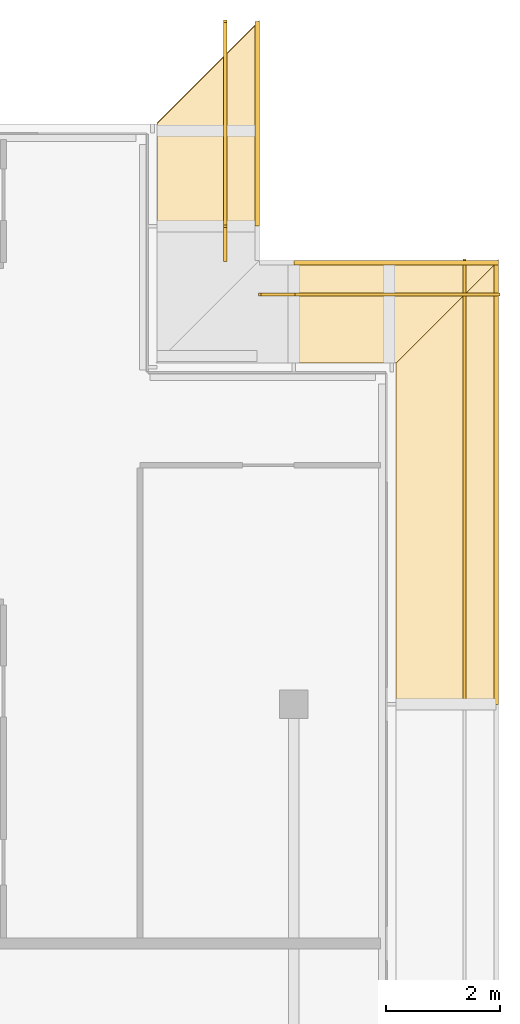
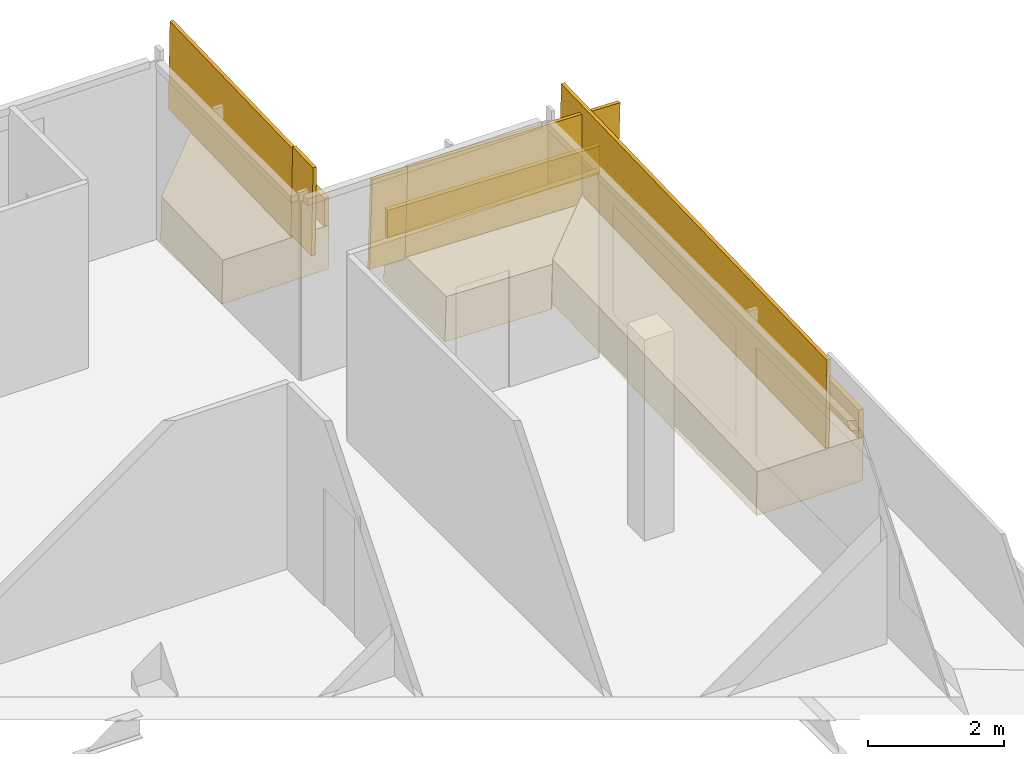
# One storey, part 25 of 27: 6 coverings, 5 railings.
"""IFC4 building model written with IfcOpenShell, lengths in metres."""

from ifc_helpers import new_model, si_unit, direction, frame, origin, origin_2d, place, context, subcontext, project, spatial, polyline, rectangle, outline, extrude, material, layer, layer_set, type_object, element, save


model = new_model("IFC4")

# Units and contexts
model_context = context("Model", 3, precision=1e-05, world=origin(), true_north=direction((0.0, 1.0)))
body_context = subcontext(model_context, "Body", "Model", "MODEL_VIEW")
ifc_project = project(units=[si_unit("LENGTHUNIT", "METRE"), si_unit("AREAUNIT", "SQUARE_METRE"), si_unit("VOLUMEUNIT", "CUBIC_METRE"), si_unit("PLANEANGLEUNIT", "RADIAN"), si_unit("MASSUNIT", "GRAM", prefix="KILO")], contexts=[model_context])

# Site, building, storey
site_placement = place(None, origin())
site = spatial("IfcSite", under=ifc_project, at=site_placement, CompositionType="ELEMENT")
building_placement = place(site_placement, origin())
building = spatial("IfcBuilding", under=site, at=building_placement, Name="Saffron Gate Tower", CompositionType="ELEMENT")
storey_placement = place(building_placement, frame((0.0, 0.0, 267.14990234375)))
storey = spatial("IfcBuildingStorey", under=building, at=storey_placement, Name="L64", CompositionType="ELEMENT", Elevation=267.14990234375)

# Coverings
ifc_material = material(Name="Timber, thermally modified ash", Category="wood")
ifc_layer_1 = layer(ifc_material, 0.800048828125)
ifc_layer_set_1 = layer_set([ifc_layer_1], Name="LD1 ledge timber")
covering_type_1 = type_object("IfcCoveringType", Name="LD1 ledge timber", PredefinedType="CLADDING", material=ifc_layer_set_1)
covering_1_placement = place(storey_placement, frame((127.199951171875, 65.39990234375, 0.3701171875), z_axis=(-3.5027307e-05, -0.028807146299, 0.99958498743), x_axis=(-3.68e-10, 0.999584988043, 0.028807146316)))
element("IfcCovering", 1, at=covering_1_placement, inside=storey, type_object=covering_type_1, Name="LEDGE", PredefinedType="CLADDING", context=body_context, shape_type="SweptSolid", body=[
    extrude(outline(polyline([(0.0, 0.0), (6.0024892885105, -2.541098841762901e-21), (7.8032891020589235, -1.8000488321003227), (-6.622937652878055e-10, -1.8000488270207489), (0.0, 0.0)])), origin(), (0.0, 0.0, -1.0), 0.800048828125),
])
covering_2_placement = place(storey_placement, frame((127.199951171875, 71.39990234375, 0.448486328125), z_axis=(0.028741681402, 0.0, 0.999586872538), x_axis=(-0.999586872538, 0.0, 0.028741681402)))
element("IfcCovering", 2, at=covering_2_placement, inside=storey, type_object=covering_type_1, Name="LEDGE", PredefinedType="CLADDING", context=body_context, shape_type="SweptSolid", body=[
    extrude(outline(polyline([(0.0, 0.0), (1.8007927850779974, 0.0), (1.8007927850779974, -1.800048828125), (-1.8007927850779974, -1.800048828125), (0.0, 0.0)])), origin(), (0.0, 0.0, -1.0), 0.800048828125),
])
covering_3_placement = place(storey_placement, frame((123.0, 73.800048828125, 0.53466796875), z_axis=(-4.6492774e-05, -0.028788135707, 0.99958553465), x_axis=(-2.161e-09, 0.99958553573, 0.028788135738)))
element("IfcCovering", 3, at=covering_3_placement, inside=storey, type_object=covering_type_1, Name="LEDGE", PredefinedType="CLADDING", context=body_context, shape_type="SweptSolid", body=[
    extrude(outline(polyline([(0.0, 0.0), (1.8007927831333284, -4.235164736271502e-22), (3.6013485512933356, -1.8000488378518529), (-3.889338571966608e-09, -1.8000488261795269), (0.0, 0.0)])), origin(), (0.0, 0.0, -1.0), 0.800048828125),
])
ifc_layer_2 = layer(ifc_material, 0.080078125)
ifc_layer_set_2 = layer_set([ifc_layer_2], Name="LD2 ledge planter trough")
covering_type_2 = type_object("IfcCoveringType", Name="LD2 ledge planter trough", PredefinedType="CLADDING", material=ifc_layer_set_2)
covering_4_placement = place(storey_placement, frame((129.0, 65.39990234375, 0.3701171875), z_axis=(1.0, 0.0, 0.0), x_axis=(0.0, 0.999584755248, 0.028815222999)))
element("IfcCovering", 4, at=covering_4_placement, inside=storey, type_object=covering_type_2, Name="LEDGE planter trough", PredefinedType="CLADDING", context=body_context, shape_type="SweptSolid", body=[
    extrude(outline(polyline([(0.0, 0.0), (7.803289102975944, 0.0), (7.8176967144752565, 0.4997923776238338), (0.014407611499312996, 0.4997923776238338), (0.0, 0.0)])), origin(), (0.0, 0.0, -1.0), 0.080078125),
])
covering_5_placement = place(storey_placement, frame((129.0, 73.199951171875, 0.396728515625), z_axis=(0.0, 1.0, 0.0), x_axis=(-0.999586872538, 0.0, 0.028741681402)))
element("IfcCovering", 5, at=covering_5_placement, inside=storey, type_object=covering_type_2, Name="LEDGE planter trough", PredefinedType="CLADDING", context=body_context, shape_type="SweptSolid", body=[
    extrude(outline(polyline([(0.0, 0.0), (3.601585570155995, 0.0), (3.6159564108570694, 0.49979343626896944), (0.014370840701074394, 0.4997934362689694), (0.0, 0.0)])), origin(), (0.0, 0.0, -1.0), 0.080078125),
])
covering_6_placement = place(storey_placement, frame((124.800048828125, 73.800048828125, 0.53466796875), z_axis=(1.0, 0.0, 0.0), x_axis=(0.0, 0.999584866472, 0.028811364412)))
element("IfcCovering", 6, at=covering_6_placement, inside=storey, type_object=covering_type_2, Name="LEDGE planter trough", PredefinedType="CLADDING", context=body_context, shape_type="SweptSolid", body=[
    extrude(outline(polyline([(0.0, 0.0), (3.601348556155073, 0.0), (3.6157542383609322, 0.49979243323622236), (0.01440568220585924, 0.49979243323622236), (0.0, 0.0)])), origin(), (0.0, 0.0, -1.0), 0.080078125),
])

# Railings
railing_type = type_object("IfcRailingType", Name="LG1 ledge balustrade", PredefinedType="BALUSTRADE", material=ifc_material)
railing_1_placement = place(storey_placement, frame((128.39990234375, 65.39990234375, 0.3701171875)))
element("IfcRailing", 7, at=railing_1_placement, inside=storey, type_object=railing_type, Name="LEDGE BALUSTRADE", PredefinedType="BALUSTRADE", context=body_context, shape_type="SweptSolid", body=[
    extrude(rectangle(XDim=0.06005859375, YDim=1.60009765625, at=origin_2d()), frame((0.0, 0.0, 0.800048828125), z_axis=(0.0, 0.999584755248, 0.028815222999), x_axis=(-1.0, 0.0, 0.0)), (0.0, 0.0, 1.0), 7.80322265625),
])
railing_2_placement = place(storey_placement, frame((129.0, 72.60009765625, 0.396728515625)))
element("IfcRailing", 8, at=railing_2_placement, inside=storey, type_object=railing_type, Name="LEDGE BALUSTRADE", PredefinedType="BALUSTRADE", context=body_context, shape_type="SweptSolid", body=[
    extrude(rectangle(XDim=0.06005859375, YDim=1.60009765625, at=origin_2d()), frame((0.0, 0.0, 0.800048828125), z_axis=(-0.999586872538, 0.0, 0.028741681402), x_axis=(0.0, -1.0, 0.0)), (0.0, 0.0, 1.0), 3.6015625),
])
railing_3_placement = place(storey_placement, frame((125.39990234375, 72.60009765625, 0.471923828125)))
element("IfcRailing", 9, at=railing_3_placement, inside=storey, type_object=railing_type, Name="LEDGE BALUSTRADE", PredefinedType="BALUSTRADE", context=body_context, shape_type="SweptSolid", body=[
    extrude(rectangle(XDim=0.06005859375, YDim=1.60009765625, at=origin_2d()), frame((0.0, 0.0, 0.800048828125), z_axis=(-0.999582742162, 0.0, 0.028884971385), x_axis=(0.0, -1.0, 0.0)), (0.0, 0.0, 1.0), 0.60009765625),
])
railing_4_placement = place(storey_placement, frame((124.199951171875, 73.199951171875, 0.55517578125)))
element("IfcRailing", 10, at=railing_4_placement, inside=storey, type_object=railing_type, Name="LEDGE BALUSTRADE", PredefinedType="BALUSTRADE", context=body_context, shape_type="SweptSolid", body=[
    extrude(rectangle(XDim=0.06005859375, YDim=1.60009765625, at=origin_2d()), frame((0.0, 0.0, 0.800048828125), z_axis=(0.0, 0.999583081391, 0.028873229772), x_axis=(-1.0, 0.0, 0.0)), (0.0, 0.0, 1.0), 0.600341796875),
])
railing_5_placement = place(storey_placement, frame((124.199951171875, 73.800048828125, 0.53466796875)))
element("IfcRailing", 11, at=railing_5_placement, inside=storey, type_object=railing_type, Name="LEDGE BALUSTRADE", PredefinedType="BALUSTRADE", context=body_context, shape_type="SweptSolid", body=[
    extrude(rectangle(XDim=0.06005859375, YDim=1.60009765625, at=origin_2d()), frame((0.0, 0.0, 0.800048828125), z_axis=(0.0, 0.999584866472, 0.028811364412), x_axis=(-1.0, 0.0, 0.0)), (0.0, 0.0, 1.0), 3.601318359375),
])

save(model, "model.ifc")
